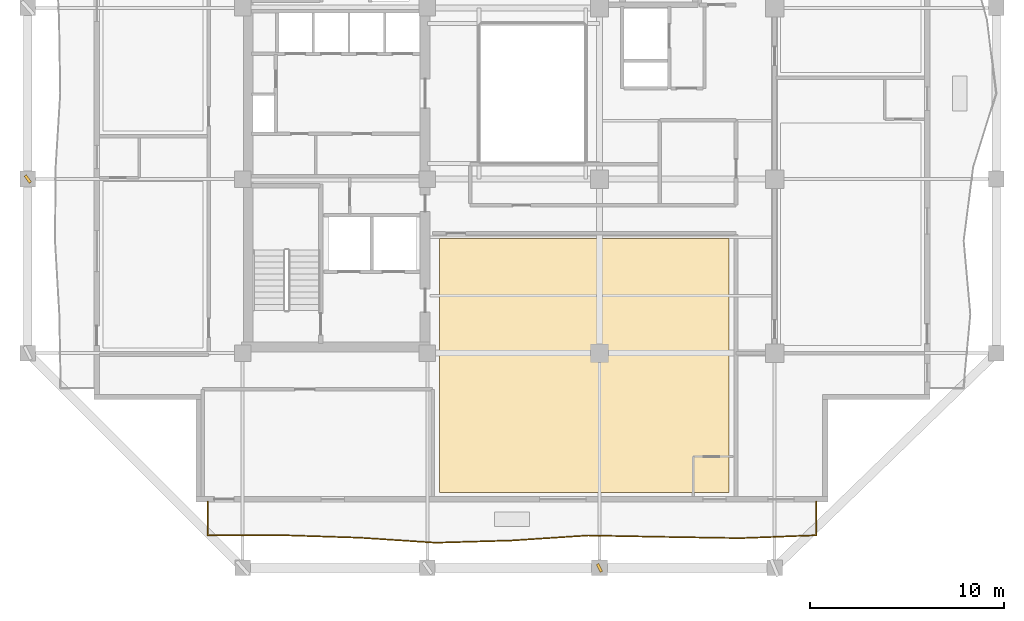
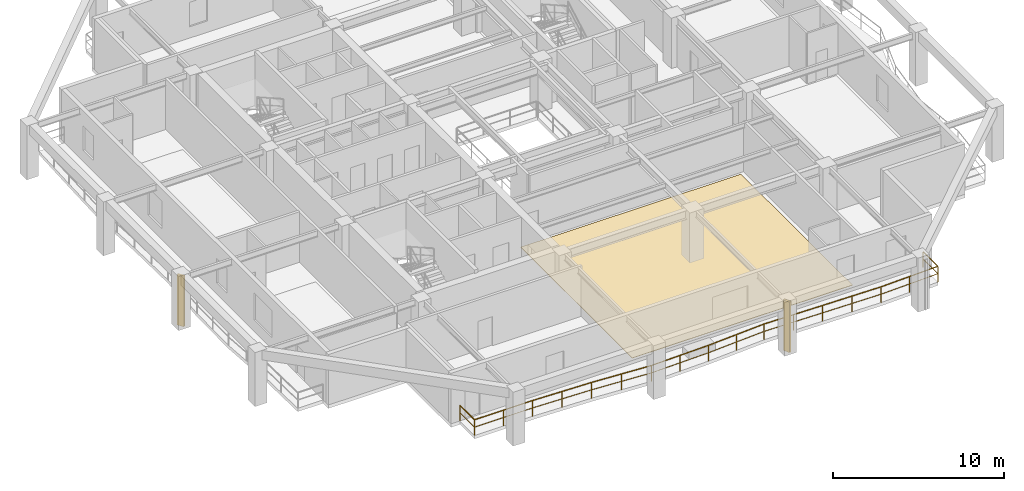
# One storey, part 8 of 12: 2 shading devices, 1 covering, 1 railing.
"""IFC4 building model written with IfcOpenShell, lengths in metres."""

from ifc_helpers import new_model, si_unit, direction, frame, origin, origin_2d, place, context, subcontext, project, spatial, polyline, rectangle, outline, extrude, material, layer, layer_set, type_object, element, save


model = new_model("IFC4")

# Units and contexts
model_context = context("Model", 3, precision=1e-05, world=origin(), true_north=direction((0.0, 1.0)))
body_context = subcontext(model_context, "Body", "Model", "MODEL_VIEW")
ifc_project = project(units=[si_unit("LENGTHUNIT", "METRE"), si_unit("AREAUNIT", "SQUARE_METRE"), si_unit("VOLUMEUNIT", "CUBIC_METRE"), si_unit("PLANEANGLEUNIT", "RADIAN"), si_unit("MASSUNIT", "GRAM", prefix="KILO")], contexts=[model_context])

# Site, building, storey
site_placement = place(None, origin())
site = spatial("IfcSite", under=ifc_project, at=site_placement, CompositionType="ELEMENT")
building_placement = place(site_placement, origin())
building = spatial("IfcBuilding", under=site, at=building_placement, Name="Kundavana Baori Tower", CompositionType="ELEMENT")
storey_placement = place(building_placement, frame((0.0, 0.0, 157.89990234375)))
storey = spatial("IfcBuildingStorey", under=building, at=storey_placement, Name="L38", CompositionType="ELEMENT", Elevation=157.89990234375)

# Covering
ifc_material_1 = material(Name="Honed Kota Stone and Terrazzo Flooring", Category="masonry")
ifc_layer = layer(ifc_material_1, 0.030029296875, Name="COV-INT-FLR")
ifc_layer_set = layer_set([ifc_layer], Name="Honed Kota Stone and Terrazzo Flooring")
covering_type = type_object("IfcCoveringType", Name="COV-INT-FLR", PredefinedType="FLOORING", material=ifc_layer_set)
covering_placement = place(storey_placement, origin())
element("IfcCovering", 1, at=covering_placement, inside=storey, type_object=covering_type, Name="L38 Room Finished Stone Flooring 3", PredefinedType="FLOORING", context=body_context, shape_type="SweptSolid", body=[
    extrude(outline(polyline([(25.580078125, 8.080078125), (40.4599609375, 8.080078125), (40.4599609375, 21.139892578125), (25.580078125, 21.139892578125), (25.580078125, 8.080078125)])), origin(), (0.0, 0.0, 1.0), 0.030029296875),
])

# Railing
ifc_material_2 = material(Name="Architectural Patinated Bronze Metalwork")
railing_type = type_object("IfcRailingType", Name="RL-BAL-1150", PredefinedType="BALUSTRADE", material=ifc_material_2)
railing_placement = place(storey_placement, frame((44.949951171875, 7.60009765625, 0.0)))
element("IfcRailing", 2, at=railing_placement, inside=storey, type_object=railing_type, Name="L38 Loggia Balcony Balustrade S", PredefinedType="BALUSTRADE", context=body_context, shape_type="SweptSolid", body=[
    extrude(rectangle(XDim=0.048095703125, YDim=0.048095703125, at=origin_2d()), frame((0.0, 0.0, 1.1259765625), z_axis=(0.0, -1.0, 0.0), x_axis=(1.0, 0.0, 0.0)), (0.0, 0.0, 1.0), 1.72021484375),
    extrude(rectangle(XDim=0.03125, YDim=0.03125, at=origin_2d()), frame((0.0, 0.0, 0.597900390625), z_axis=(0.0, -1.0, 0.0), x_axis=(1.0, 0.0, 0.0)), (0.0, 0.0, 1.0), 1.72021484375),
    extrude(rectangle(XDim=0.048095703125, YDim=0.048095703125, at=origin_2d()), frame((0.0, -1.72021484375, 1.1259765625), z_axis=(-0.999257023507, -0.038540899989, 0.0), x_axis=(0.038540899989, -0.999257023507, 0.0)), (0.0, 0.0, 1.0), 3.914794921875),
    extrude(rectangle(XDim=0.03125, YDim=0.03125, at=origin_2d()), frame((0.0, -1.72021484375, 0.597900390625), z_axis=(-0.999257023507, -0.038540899989, 0.0), x_axis=(0.038540899989, -0.999257023507, 0.0)), (0.0, 0.0, 1.0), 3.914794921875),
    extrude(rectangle(XDim=0.048095703125, YDim=0.048095703125, at=origin_2d()), frame((-3.911865234375, -1.87109375, 1.1259765625), z_axis=(-0.999862315545, 0.01659367207, 0.0), x_axis=(-0.01659367207, -0.999862315545, 0.0)), (0.0, 0.0, 1.0), 3.91357421875),
    extrude(rectangle(XDim=0.03125, YDim=0.03125, at=origin_2d()), frame((-3.911865234375, -1.87109375, 0.597900390625), z_axis=(-0.999862315545, 0.01659367207, 0.0), x_axis=(-0.01659367207, -0.999862315545, 0.0)), (0.0, 0.0, 1.0), 3.91357421875),
    extrude(rectangle(XDim=0.048095703125, YDim=0.048095703125, at=origin_2d()), frame((-7.824951171875, -1.80615234375, 1.1259765625), z_axis=(-0.99982127021, 0.01890575667, 0.0), x_axis=(-0.01890575667, -0.99982127021, 0.0)), (0.0, 0.0, 1.0), 3.912841796875),
    extrude(rectangle(XDim=0.03125, YDim=0.03125, at=origin_2d()), frame((-7.824951171875, -1.80615234375, 0.597900390625), z_axis=(-0.99982127021, 0.01890575667, 0.0), x_axis=(-0.01890575667, -0.99982127021, 0.0)), (0.0, 0.0, 1.0), 3.912841796875),
    extrude(rectangle(XDim=0.048095703125, YDim=0.048095703125, at=origin_2d()), frame((-11.737060546875, -1.732177734375, 1.1259765625), z_axis=(-0.997836374411, -0.065746253908, 0.0), x_axis=(0.065746253908, -0.997836374411, 0.0)), (0.0, 0.0, 1.0), 3.92138671875),
    extrude(rectangle(XDim=0.03125, YDim=0.03125, at=origin_2d()), frame((-11.737060546875, -1.732177734375, 0.597900390625), z_axis=(-0.997836374411, -0.065746253908, 0.0), x_axis=(0.065746253908, -0.997836374411, 0.0)), (0.0, 0.0, 1.0), 3.92138671875),
    extrude(rectangle(XDim=0.048095703125, YDim=0.048095703125, at=origin_2d()), frame((-15.64990234375, -1.989990234375, 1.1259765625), z_axis=(-0.999575590256, -0.029131415417, 0.0), x_axis=(0.029131415417, -0.999575590256, 0.0)), (0.0, 0.0, 1.0), 3.913818359375),
    extrude(rectangle(XDim=0.03125, YDim=0.03125, at=origin_2d()), frame((-15.64990234375, -1.989990234375, 0.597900390625), z_axis=(-0.999575590256, -0.029131415417, 0.0), x_axis=(0.029131415417, -0.999575590256, 0.0)), (0.0, 0.0, 1.0), 3.913818359375),
    extrude(rectangle(XDim=0.048095703125, YDim=0.048095703125, at=origin_2d()), frame((-19.56201171875, -2.10400390625, 1.1259765625), z_axis=(-0.997852681812, 0.065498285472, 0.0), x_axis=(-0.065498285472, -0.997852681812, 0.0)), (0.0, 0.0, 1.0), 3.921142578125),
    extrude(rectangle(XDim=0.03125, YDim=0.03125, at=origin_2d()), frame((-19.56201171875, -2.10400390625, 0.597900390625), z_axis=(-0.997852681812, 0.065498285472, 0.0), x_axis=(-0.065498285472, -0.997852681812, 0.0)), (0.0, 0.0, 1.0), 3.921142578125),
    extrude(rectangle(XDim=0.048095703125, YDim=0.048095703125, at=origin_2d()), frame((-23.474853515625, -1.84716796875, 1.1259765625), z_axis=(-0.999474133691, 0.032426163559, 0.0), x_axis=(-0.032426163559, -0.999474133691, 0.0)), (0.0, 0.0, 1.0), 3.9150390625),
    extrude(rectangle(XDim=0.03125, YDim=0.03125, at=origin_2d()), frame((-23.474853515625, -1.84716796875, 0.597900390625), z_axis=(-0.999474133691, 0.032426163559, 0.0), x_axis=(-0.032426163559, -0.999474133691, 0.0)), (0.0, 0.0, 1.0), 3.9150390625),
    extrude(rectangle(XDim=0.048095703125, YDim=0.048095703125, at=origin_2d()), frame((-27.387939453125, -1.72021484375, 1.1259765625), z_axis=(-1.0, 0.0, 0.0), x_axis=(0.0, -1.0, 0.0)), (0.0, 0.0, 1.0), 3.912109375),
    extrude(rectangle(XDim=0.03125, YDim=0.03125, at=origin_2d()), frame((-27.387939453125, -1.72021484375, 0.597900390625), z_axis=(-1.0, 0.0, 0.0), x_axis=(0.0, -1.0, 0.0)), (0.0, 0.0, 1.0), 3.912109375),
    extrude(rectangle(XDim=0.048095703125, YDim=0.048095703125, at=origin_2d()), frame((-31.300048828125, -1.72021484375, 1.1259765625), z_axis=(0.0, 1.0, 0.0), x_axis=(-1.0, 0.0, 0.0)), (0.0, 0.0, 1.0), 1.72021484375),
    extrude(rectangle(XDim=0.03125, YDim=0.03125, at=origin_2d()), frame((-31.300048828125, -1.72021484375, 0.597900390625), z_axis=(0.0, 1.0, 0.0), x_axis=(-1.0, 0.0, 0.0)), (0.0, 0.0, 1.0), 1.72021484375),
    extrude(rectangle(XDim=0.0419921875, YDim=0.0419921875, at=origin_2d()), origin(), (0.0, 0.0, 1.0), 1.101806640625),
    extrude(rectangle(XDim=0.0419921875, YDim=0.0419921875, at=origin_2d()), frame((0.0, -1.72021484375, 0.0)), (0.0, 0.0, 1.0), 1.101806640625),
    extrude(rectangle(XDim=0.0419921875, YDim=0.0419921875, at=origin_2d()), frame((-1.9560546875, -1.795654296875, 0.0)), (0.0, 0.0, 1.0), 1.101806640625),
    extrude(rectangle(XDim=0.0419921875, YDim=0.0419921875, at=origin_2d()), frame((-3.911865234375, -1.87109375, 0.0)), (0.0, 0.0, 1.0), 1.101806640625),
    extrude(rectangle(XDim=0.0419921875, YDim=0.0419921875, at=origin_2d()), frame((-5.868408203125, -1.838623046875, 0.0)), (0.0, 0.0, 1.0), 1.101806640625),
    extrude(rectangle(XDim=0.0419921875, YDim=0.0419921875, at=origin_2d()), frame((-7.824951171875, -1.80615234375, 0.0)), (0.0, 0.0, 1.0), 1.101806640625),
    extrude(rectangle(XDim=0.0419921875, YDim=0.0419921875, at=origin_2d()), frame((-9.781005859375, -1.76904296875, 0.0)), (0.0, 0.0, 1.0), 1.101806640625),
    extrude(rectangle(XDim=0.0419921875, YDim=0.0419921875, at=origin_2d()), frame((-11.737060546875, -1.732177734375, 0.0)), (0.0, 0.0, 1.0), 1.101806640625),
    extrude(rectangle(XDim=0.0419921875, YDim=0.0419921875, at=origin_2d()), frame((-13.693359375, -1.861083984375, 0.0)), (0.0, 0.0, 1.0), 1.101806640625),
    extrude(rectangle(XDim=0.0419921875, YDim=0.0419921875, at=origin_2d()), frame((-15.64990234375, -1.989990234375, 0.0)), (0.0, 0.0, 1.0), 1.101806640625),
    extrude(rectangle(XDim=0.0419921875, YDim=0.0419921875, at=origin_2d()), frame((-17.60595703125, -2.046875, 0.0)), (0.0, 0.0, 1.0), 1.101806640625),
    extrude(rectangle(XDim=0.0419921875, YDim=0.0419921875, at=origin_2d()), frame((-19.56201171875, -2.10400390625, 0.0)), (0.0, 0.0, 1.0), 1.101806640625),
    extrude(rectangle(XDim=0.0419921875, YDim=0.0419921875, at=origin_2d()), frame((-21.5185546875, -1.9755859375, 0.0)), (0.0, 0.0, 1.0), 1.101806640625),
    extrude(rectangle(XDim=0.0419921875, YDim=0.0419921875, at=origin_2d()), frame((-23.474853515625, -1.84716796875, 0.0)), (0.0, 0.0, 1.0), 1.101806640625),
    extrude(rectangle(XDim=0.0419921875, YDim=0.0419921875, at=origin_2d()), frame((-25.431396484375, -1.78369140625, 0.0)), (0.0, 0.0, 1.0), 1.101806640625),
    extrude(rectangle(XDim=0.0419921875, YDim=0.0419921875, at=origin_2d()), frame((-27.387939453125, -1.72021484375, 0.0)), (0.0, 0.0, 1.0), 1.101806640625),
    extrude(rectangle(XDim=0.0419921875, YDim=0.0419921875, at=origin_2d()), frame((-29.343994140625, -1.72021484375, 0.0)), (0.0, 0.0, 1.0), 1.101806640625),
    extrude(rectangle(XDim=0.0419921875, YDim=0.0419921875, at=origin_2d()), frame((-31.300048828125, -1.72021484375, 0.0)), (0.0, 0.0, 1.0), 1.101806640625),
    extrude(rectangle(XDim=0.0419921875, YDim=0.0419921875, at=origin_2d()), frame((-31.300048828125, 0.0, 0.0)), (0.0, 0.0, 1.0), 1.101806640625),
])

# Shading devices
ifc_material_3 = material(Name="Architectural Patinated Bronze Metalwork")
shading_device_type = type_object("IfcShadingDeviceType", Name="SHD-LOUV-450", PredefinedType="SHUTTER", material=ifc_material_3)
for number, where, z_axis, x_axis, name in (
    (3, (33.800048828125, 4.199951171875, 0.0), (0.0, 0.0, 1.0), (0.895556498716, 0.444947814477, 0.0), "L38 Sweeping Dholpur Sandstone Facade Fin 3"),
    (4, (4.39990234375, 24.199951171875, 0.0), (0.0, 0.0, 1.0), (0.80541134648, 0.592716258391, 0.0), "L38 Sweeping Dholpur Sandstone Facade Fin 6"),
):
    element("IfcShadingDevice", number, at=place(storey_placement, frame(where, z_axis=z_axis, x_axis=x_axis)), inside=storey, type_object=shading_device_type, Name=name, PredefinedType="SHUTTER", context=body_context, shape_type="SweptSolid", body=[
        extrude(rectangle(XDim=0.139892578125, YDim=0.449951171875, at=origin_2d()), origin(), (0.0, 0.0, 1.0), 3.60009765625),
    ])

save(model, "model.ifc")
